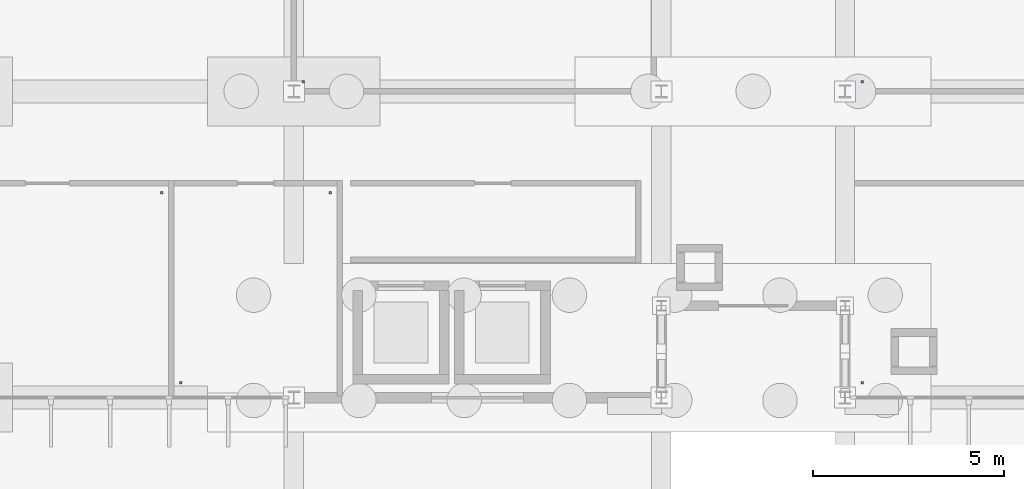
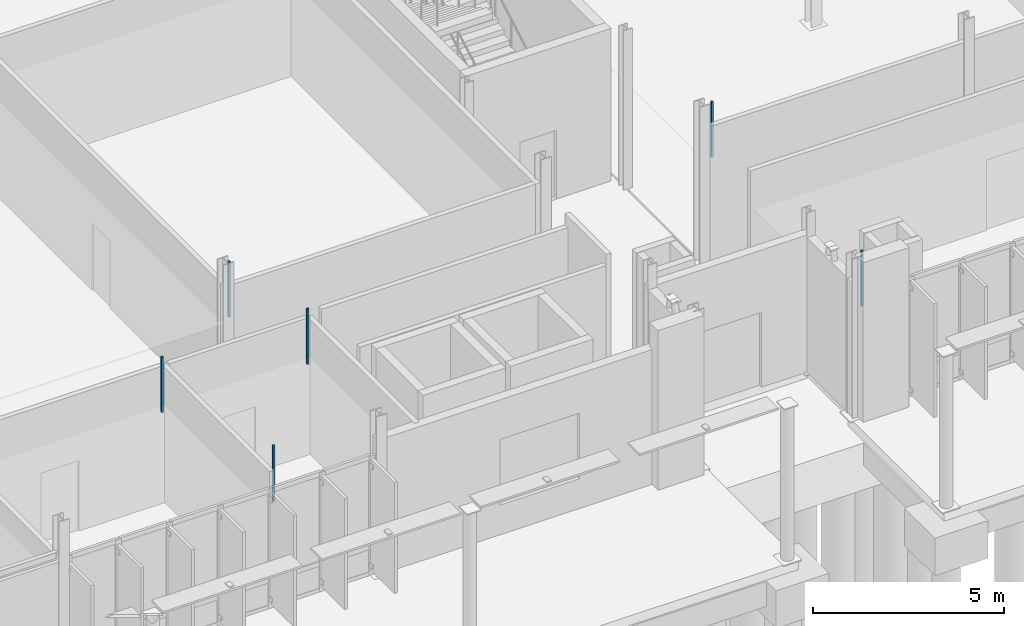
# One storey, part 75 of 111: 6 discrete accessories.
"""IFC4 building model written with IfcOpenShell, lengths in metres."""

from ifc_helpers import new_model, si_unit, direction, frame, origin, place, context, subcontext, project, spatial, polyline, outline, extrude, material, type_object, element, save


model = new_model("IFC4")

# Units and contexts
model_context = context("Model", 3, precision=1e-05, world=origin(), true_north=direction((0.0, 1.0)))
body_context = subcontext(model_context, "Body", "Model", "MODEL_VIEW")
ifc_project = project(units=[si_unit("LENGTHUNIT", "METRE"), si_unit("AREAUNIT", "SQUARE_METRE"), si_unit("VOLUMEUNIT", "CUBIC_METRE"), si_unit("PLANEANGLEUNIT", "RADIAN"), si_unit("MASSUNIT", "GRAM", prefix="KILO")], contexts=[model_context])

# Site, building, storey
site_placement = place(None, origin())
site = spatial("IfcSite", under=ifc_project, at=site_placement, CompositionType="ELEMENT")
building_placement = place(site_placement, origin())
building = spatial("IfcBuilding", under=site, at=building_placement, Name="Dunescarp Central Library", CompositionType="ELEMENT")
storey_placement = place(building_placement, origin())
storey = spatial("IfcBuildingStorey", under=building, at=storey_placement, Name="L00", CompositionType="ELEMENT", Elevation=0.0)

# Discrete accessories
ifc_material = material(Name="Stainless steel Grade 316L", Category="steel")
discrete_accessory_type = type_object("IfcDiscreteAccessoryType", Name="ARC-ACC-BRK", PredefinedType="BRACKET", material=ifc_material)
discrete_accessory_1_placement = place(storey_placement, frame((0.0, 0.0, 3.06005859375)))
element("IfcDiscreteAccessory", 1, at=discrete_accessory_1_placement, inside=storey, type_object=discrete_accessory_type, Name="L00 ceiling hanger CLG-L00-045-H1", PredefinedType="BRACKET", context=body_context, shape_type="SweptSolid", body=[
    extrude(outline(polyline([(64.219970703125, 5.159912109375), (64.280029296875, 5.159912109375), (64.280029296875, 5.219970703125), (64.219970703125, 5.219970703125), (64.219970703125, 5.159912109375)])), origin(), (0.0, 0.0, 1.0), 1.780029296875),
])
discrete_accessory_2_placement = place(storey_placement, frame((0.0, 0.0, 3.06005859375)))
element("IfcDiscreteAccessory", 2, at=discrete_accessory_2_placement, inside=storey, type_object=discrete_accessory_type, Name="L00 ceiling hanger CLG-L00-045-H2", PredefinedType="BRACKET", context=body_context, shape_type="SweptSolid", body=[
    extrude(outline(polyline([(68.1201171875, 10.1201171875), (68.179931640625, 10.1201171875), (68.179931640625, 10.179931640625), (68.1201171875, 10.179931640625), (68.1201171875, 10.1201171875)])), origin(), (0.0, 0.0, 1.0), 1.780029296875),
])
discrete_accessory_3_placement = place(storey_placement, frame((0.0, 0.0, 3.06005859375)))
element("IfcDiscreteAccessory", 3, at=discrete_accessory_3_placement, inside=storey, type_object=discrete_accessory_type, Name="L00 ceiling hanger CLG-L00-048-H2", PredefinedType="BRACKET", context=body_context, shape_type="SweptSolid", body=[
    extrude(outline(polyline([(63.719970703125, 10.1201171875), (63.780029296875, 10.1201171875), (63.780029296875, 10.179931640625), (63.719970703125, 10.179931640625), (63.719970703125, 10.1201171875)])), origin(), (0.0, 0.0, 1.0), 1.780029296875),
])
discrete_accessory_4_placement = place(storey_placement, frame((0.0, 0.0, 3.06005859375)))
element("IfcDiscreteAccessory", 4, at=discrete_accessory_4_placement, inside=storey, type_object=discrete_accessory_type, Name="L00 ceiling hanger CLG-L00-050-H1", PredefinedType="BRACKET", context=body_context, shape_type="SweptSolid", body=[
    extrude(outline(polyline([(67.419921875, 13.02001953125), (67.47998046875, 13.02001953125), (67.47998046875, 13.080078125), (67.419921875, 13.080078125), (67.419921875, 13.02001953125)])), origin(), (0.0, 0.0, 1.0), 1.780029296875),
])
discrete_accessory_5_placement = place(storey_placement, frame((0.0, 0.0, 3.06005859375)))
element("IfcDiscreteAccessory", 5, at=discrete_accessory_5_placement, inside=storey, type_object=discrete_accessory_type, Name="L00 ceiling hanger CLG-L00-090-H1", PredefinedType="BRACKET", context=body_context, shape_type="SweptSolid", body=[
    extrude(outline(polyline([(82.02001953125, 5.159912109375), (82.080078125, 5.159912109375), (82.080078125, 5.219970703125), (82.02001953125, 5.219970703125), (82.02001953125, 5.159912109375)])), origin(), (0.0, 0.0, 1.0), 1.780029296875),
])
discrete_accessory_6_placement = place(storey_placement, frame((0.0, 0.0, 3.06005859375)))
element("IfcDiscreteAccessory", 6, at=discrete_accessory_6_placement, inside=storey, type_object=discrete_accessory_type, Name="L00 ceiling hanger CLG-L00-092-H1", PredefinedType="BRACKET", context=body_context, shape_type="SweptSolid", body=[
    extrude(outline(polyline([(82.02001953125, 13.02001953125), (82.080078125, 13.02001953125), (82.080078125, 13.080078125), (82.02001953125, 13.080078125), (82.02001953125, 13.02001953125)])), origin(), (0.0, 0.0, 1.0), 1.780029296875),
])

save(model, "model.ifc")
